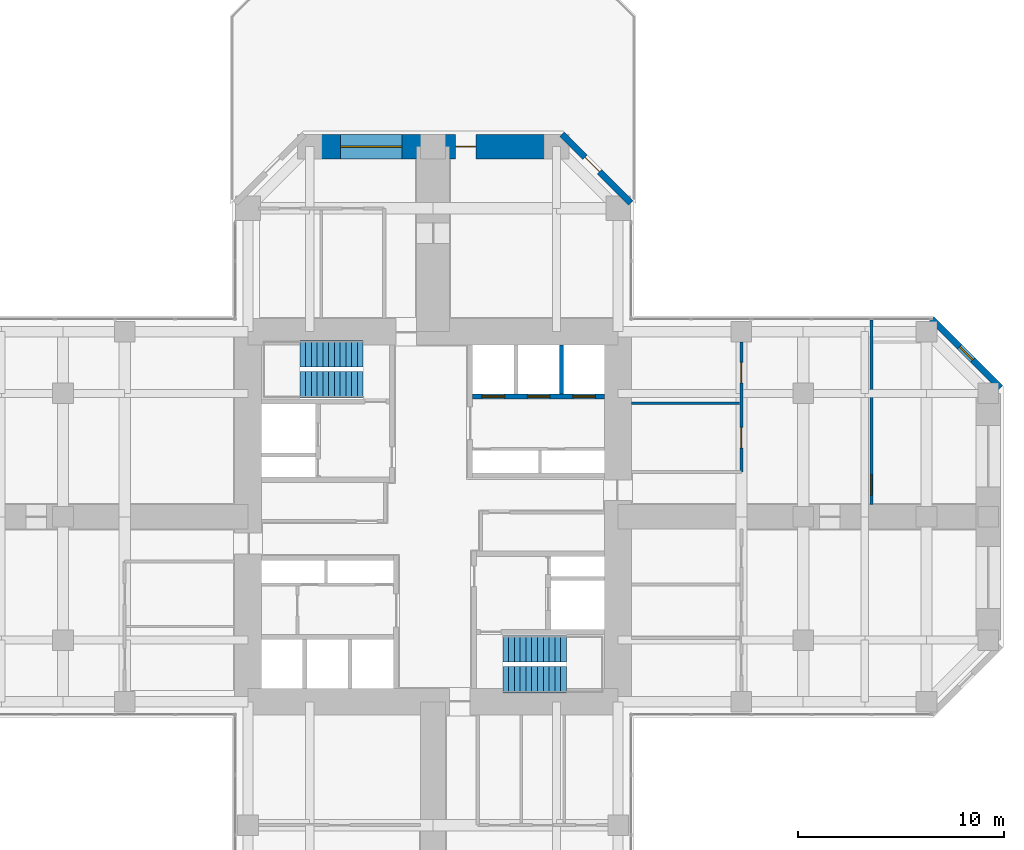
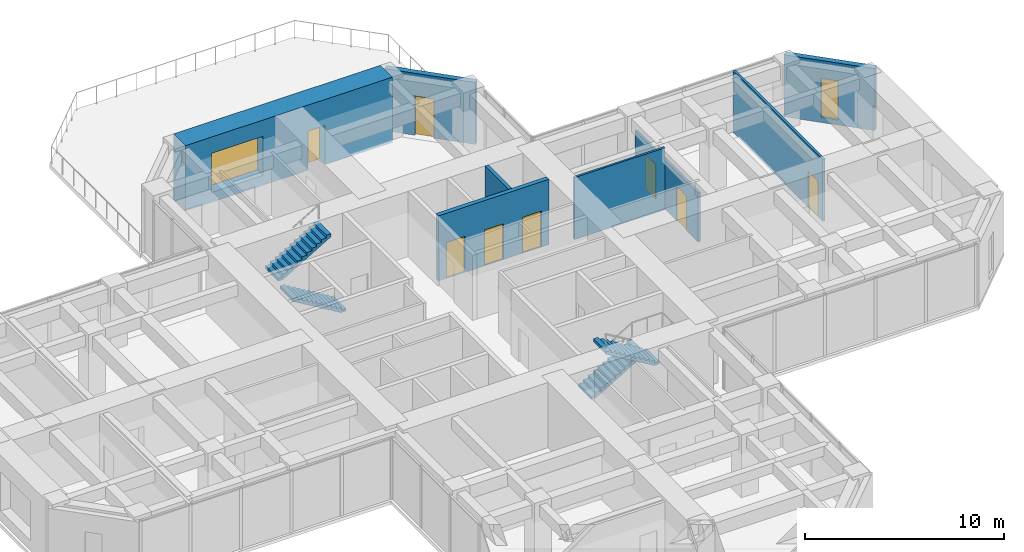
# One storey, part 11 of 12: 8 doors, 8 walls, 4 stair flights, 2 windows, 10 openings, 2 elements without a shape of their own.
"""IFC4 building model written with IfcOpenShell, lengths in metres."""

from ifc_helpers import new_model, si_unit, direction, frame, frame_2d, origin, place, context, subcontext, project, spatial, polyline, rectangle, hollow_rectangle, outline, extrude, material, layer, layer_set, constituent, constituent_set, type_object, element, fill, aggregate, save


model = new_model("IFC4")

# Units and contexts
model_context = context("Model", 3, precision=1e-05, world=origin(), true_north=direction((0.0, 1.0)))
body_context = subcontext(model_context, "Body", "Model", "MODEL_VIEW")
ifc_project = project(units=[si_unit("LENGTHUNIT", "METRE"), si_unit("AREAUNIT", "SQUARE_METRE"), si_unit("VOLUMEUNIT", "CUBIC_METRE"), si_unit("PLANEANGLEUNIT", "RADIAN"), si_unit("MASSUNIT", "GRAM", prefix="KILO")], contexts=[model_context])

# Site, building, storey
site_placement = place(None, origin())
site = spatial("IfcSite", under=ifc_project, at=site_placement, CompositionType="ELEMENT")
building_placement = place(site_placement, origin())
building = spatial("IfcBuilding", under=site, at=building_placement, Name="Torre Cruceta", CompositionType="ELEMENT")
storey_placement = place(building_placement, frame((0.0, 0.0, 100.5)))
storey = spatial("IfcBuildingStorey", under=building, at=storey_placement, Name="L24", CompositionType="ELEMENT", Elevation=100.5)

# Wall, openings, doors
ifc_material_1 = material(Name="Concrete G60 (fck 60 MPa)", Category="concrete")
ifc_layer_1 = layer(ifc_material_1, 0.25)
ifc_layer_set_1 = layer_set([ifc_layer_1], Name="Concrete G60 (fck 60 MPa)")
wall_type_1 = type_object("IfcWallType", Name="CORE INNER WALL 250 G60", PredefinedType="SHEAR", material=ifc_layer_set_1)
wall_1_placement = place(storey_placement, frame((1.925048828125, 5.85009765625, 0.0), z_axis=(0.0, 0.0, 1.0), x_axis=(1.0, 0.0, 0.0)))
wall_1 = element("IfcWall", 1, at=wall_1_placement, inside=storey, type_object=wall_type_1, Name="CW4 L24 NE-LV", PredefinedType="SHEAR", context=body_context, shape_type="SweptSolid", body=[
    extrude(rectangle(XDim=6.425048828125, YDim=0.25, at=frame_2d((3.21240234375, 0.0))), origin(), (0.0, 0.0, 1.0), 4.0),
])
opening_1_placement = place(wall_1_placement, frame((0.4541015625, 0.0, 0.0)))
opening_1 = element("IfcOpeningElement", 2, at=opening_1_placement, cuts=wall_1, Name="Opening LD1", PredefinedType="OPENING", context=body_context, shape_type="SweptSolid", body=[
    extrude(rectangle(XDim=1.10009765625, YDim=2.199951171875, at=frame_2d((0.550048828125, 1.10009765625))), frame((0.0, 0.135009765625, 0.0), z_axis=(0.0, -1.0, 0.0), x_axis=(1.0, 0.0, 0.0)), (0.0, 0.0, 1.0), 0.27001953125),
])
opening_2_placement = place(wall_1_placement, frame((2.66259765625, 0.0, 0.0)))
opening_2 = element("IfcOpeningElement", 3, at=opening_2_placement, cuts=wall_1, Name="Opening LD1", PredefinedType="OPENING", context=body_context, shape_type="SweptSolid", body=[
    extrude(rectangle(XDim=1.10009765625, YDim=2.199951171875, at=frame_2d((0.550048828125, 1.10009765625))), frame((0.0, 0.135009765625, 0.0), z_axis=(0.0, -1.0, 0.0), x_axis=(1.0, 0.0, 0.0)), (0.0, 0.0, 1.0), 0.27001953125),
])
opening_3_placement = place(wall_1_placement, frame((4.870849609375, 0.0, 0.0)))
opening_3 = element("IfcOpeningElement", 4, at=opening_3_placement, cuts=wall_1, Name="Opening LD1", PredefinedType="OPENING", context=body_context, shape_type="SweptSolid", body=[
    extrude(rectangle(XDim=1.10009765625, YDim=2.199951171875, at=frame_2d((0.550048828125, 1.10009765625))), frame((0.0, 0.135009765625, 0.0), z_axis=(0.0, -1.0, 0.0), x_axis=(1.0, 0.0, 0.0)), (0.0, 0.0, 1.0), 0.27001953125),
])
ifc_material_2 = material(Name="Stainless steel 1.4401", Category="steel")
door_type_1 = type_object("IfcDoorType", Name="LIFT LANDING DOOR 1100X2200", OperationType="DOUBLE_DOOR_SLIDING", PredefinedType="DOOR", material=ifc_material_2)
door_1_placement = place(opening_1_placement, origin())
door_1 = element("IfcDoor", 5, at=door_1_placement, inside=storey, type_object=door_type_1, Name="Lift landing door P1", OperationType="DOUBLE_DOOR_SLIDING", OverallHeight=2.199951171875, OverallWidth=1.10009765625, PredefinedType="DOOR", context=body_context, shape_type="SweptSolid", body=[
    extrude(rectangle(XDim=1.10009765625, YDim=2.199951171875, at=frame_2d((0.550048828125, 1.10009765625))), frame((0.0, 0.02490234375, 0.0), z_axis=(0.0, -1.0, 0.0), x_axis=(1.0, 0.0, 0.0)), (0.0, 0.0, 1.0), 0.050048828125),
])
fill(opening_1, door_1)
door_2_placement = place(opening_2_placement, origin())
door_2 = element("IfcDoor", 6, at=door_2_placement, inside=storey, type_object=door_type_1, Name="Lift landing door P2", OperationType="DOUBLE_DOOR_SLIDING", OverallHeight=2.199951171875, OverallWidth=1.10009765625, PredefinedType="DOOR", context=body_context, shape_type="SweptSolid", body=[
    extrude(rectangle(XDim=1.10009765625, YDim=2.199951171875, at=frame_2d((0.550048828125, 1.10009765625))), frame((0.0, 0.02490234375, 0.0), z_axis=(0.0, -1.0, 0.0), x_axis=(1.0, 0.0, 0.0)), (0.0, 0.0, 1.0), 0.050048828125),
])
fill(opening_2, door_2)
door_3_placement = place(opening_3_placement, origin())
door_3 = element("IfcDoor", 7, at=door_3_placement, inside=storey, type_object=door_type_1, Name="Lift landing door P3", OperationType="DOUBLE_DOOR_SLIDING", OverallHeight=2.199951171875, OverallWidth=1.10009765625, PredefinedType="DOOR", context=body_context, shape_type="SweptSolid", body=[
    extrude(rectangle(XDim=1.10009765625, YDim=2.199951171875, at=frame_2d((0.550048828125, 1.10009765625))), frame((0.0, 0.02490234375, 0.0), z_axis=(0.0, -1.0, 0.0), x_axis=(1.0, 0.0, 0.0)), (0.0, 0.0, 1.0), 0.050048828125),
])
fill(opening_3, door_3)

# Wall, opening, window
ifc_material_3 = material(Name="Concrete G30 (fck 30 MPa)", Category="concrete")
ifc_layer_2 = layer(ifc_material_3, 0.300048828125)
ifc_layer_set_2 = layer_set([ifc_layer_2], Name="Concrete G30 (fck 30 MPa)")
wall_type_2 = type_object("IfcWallType", Name="EXPOSED CONCRETE FACADE WALL 300", PredefinedType="SOLIDWALL", material=ifc_layer_set_2)
wall_2_placement = place(storey_placement, frame((27.60009765625, 6.27685546875, 0.0), z_axis=(0.0, 0.0, 1.0), x_axis=(-0.707106781187, 0.707106781187, 0.0)))
wall_2 = element("IfcWall", 8, at=wall_2_placement, inside=storey, type_object=wall_type_2, Name="EW1 facade wall L24 E chamfer 03", PredefinedType="SOLIDWALL", context=body_context, shape_type="SweptSolid", body=[
    extrude(rectangle(XDim=4.72802734375, YDim=0.300048828125, at=frame_2d((2.364013671875, 0.0))), origin(), (0.0, 0.0, 1.0), 3.800048828125),
])
opening_4_placement = place(wall_2_placement, frame((1.9140625, 0.0, 0.300048828125)))
opening_4 = element("IfcOpeningElement", 9, at=opening_4_placement, cuts=wall_2, Name="Opening WN5", PredefinedType="OPENING", context=body_context, shape_type="SweptSolid", body=[
    extrude(rectangle(XDim=0.89990234375, YDim=2.39990234375, at=frame_2d((0.449951171875, 1.199951171875))), frame((0.0, 0.159912109375, 0.0), z_axis=(0.0, -1.0, 0.0), x_axis=(1.0, 0.0, 0.0)), (0.0, 0.0, 1.0), 0.320068359375),
])
ifc_material_4 = material(Name="Aluminium window frame", Category="aluminium")
ifc_constituent_1 = constituent(ifc_material_4, Name="Frame")
ifc_material_5 = material(Name="Laminated insulating glass unit, low-iron clear", Category="glass")
ifc_constituent_2 = constituent(ifc_material_5, Name="Glazing")
ifc_constituent_set_1 = constituent_set(constituents=[ifc_constituent_1, ifc_constituent_2], Name="Aluminium window")
window_type_1 = type_object("IfcWindowType", Name="CHAMFER SLOT WINDOW 900X2400", PartitioningType="SINGLE_PANEL", PredefinedType="WINDOW", material=ifc_constituent_set_1)
window_1_placement = place(opening_4_placement, origin())
window_1 = element("IfcWindow", 10, at=window_1_placement, inside=storey, type_object=window_type_1, Name="WN5 L24 E 1", OverallHeight=2.39990234375, OverallWidth=0.89990234375, PartitioningType="SINGLE_PANEL", PredefinedType="WINDOW", context=body_context, shape_type="SweptSolid", body=[
    extrude(hollow_rectangle(XDim=0.89990234375, YDim=2.39990234375, WallThickness=0.06005859375, at=frame_2d((0.449951171875, 1.199951171875))), frame((0.0, 0.030029296875, 0.0), z_axis=(0.0, -1.0, 0.0), x_axis=(1.0, 0.0, 0.0)), (0.0, 0.0, 1.0), 0.06005859375),
    extrude(rectangle(XDim=0.77880859375, YDim=2.27880859375, at=frame_2d((0.449951171875, 1.199951171875))), frame((0.0, 0.030029296875, 0.0), z_axis=(0.0, -1.0, 0.0), x_axis=(1.0, 0.0, 0.0)), (0.0, 0.0, 1.0), 0.06005859375),
])
fill(opening_4, window_1)

# Wall, opening, door
wall_3_placement = place(storey_placement, frame((9.6201171875, 15.2568359375, 0.0), z_axis=(0.0, 0.0, 1.0), x_axis=(-0.707106781187, 0.707106781187, 0.0)))
wall_3 = element("IfcWall", 11, at=wall_3_placement, inside=storey, type_object=wall_type_2, Name="EW1 facade wall L24 N chamfer 06", PredefinedType="SOLIDWALL", context=body_context, shape_type="SweptSolid", body=[
    extrude(rectangle(XDim=4.72802734375, YDim=0.300048828125, at=frame_2d((2.364013671875, 0.0))), origin(), (0.0, 0.0, 1.0), 3.800048828125),
])
opening_5_placement = place(wall_3_placement, frame((2.14990234375, 0.0, 0.0)))
opening_5 = element("IfcOpeningElement", 12, at=opening_5_placement, cuts=wall_3, Name="Opening D11", PredefinedType="OPENING", context=body_context, shape_type="SweptSolid", body=[
    extrude(rectangle(XDim=1.0, YDim=2.39990234375, at=frame_2d((0.5, 1.199951171875))), frame((0.0, 0.159912109375, 0.0), z_axis=(0.0, -1.0, 0.0), x_axis=(1.0, 0.0, 0.0)), (0.0, 0.0, 1.0), 0.320068359375),
])
ifc_material_6 = material(Name="Aluminium door frame", Category="aluminium")
ifc_constituent_3 = constituent(ifc_material_6, Name="Frame")
ifc_material_7 = material(Name="Laminated safety glass", Category="glass")
ifc_constituent_4 = constituent(ifc_material_7, Name="Glazing")
ifc_constituent_set_2 = constituent_set(constituents=[ifc_constituent_3, ifc_constituent_4], Name="Aluminium glazed door")
door_type_2 = type_object("IfcDoorType", Name="TERRACE DOOR 1000X2400", OperationType="SINGLE_SWING_LEFT", PredefinedType="DOOR", material=ifc_constituent_set_2)
door_4_placement = place(opening_5_placement, origin())
door_4 = element("IfcDoor", 13, at=door_4_placement, inside=storey, type_object=door_type_2, Name="D11 terrace door L24 N", OperationType="SINGLE_SWING_RIGHT", OverallHeight=2.39990234375, OverallWidth=1.0, PredefinedType="DOOR", context=body_context, shape_type="SweptSolid", body=[
    extrude(hollow_rectangle(XDim=1.0, YDim=2.39990234375, WallThickness=0.06005859375, at=frame_2d((0.5, 1.199951171875))), frame((0.0, 0.02490234375, 0.0), z_axis=(0.0, -1.0, 0.0), x_axis=(1.0, 0.0, 0.0)), (0.0, 0.0, 1.0), 0.050048828125),
    extrude(rectangle(XDim=0.87890625, YDim=2.27880859375, at=frame_2d((0.5, 1.199951171875))), frame((0.0, 0.02490234375, 0.0), z_axis=(0.0, -1.0, 0.0), x_axis=(1.0, 0.0, 0.0)), (0.0, 0.0, 1.0), 0.050048828125),
])
fill(opening_5, door_4)

# Wall
ifc_material_8 = material(Name="Concrete G35 (fck 35 MPa)", Category="concrete")
ifc_layer_3 = layer(ifc_material_8, 0.199951171875)
ifc_layer_set_3 = layer_set([ifc_layer_3], Name="Concrete G35 (fck 35 MPa)")
wall_type_3 = type_object("IfcWallType", Name="LIFT SHAFT WALL 200", PredefinedType="PARTITIONING", material=ifc_layer_set_3)
wall_4_placement = place(storey_placement, frame((6.24169921875, 5.97509765625, 0.0), z_axis=(0.0, 0.0, 1.0), x_axis=(0.0, 1.0, 0.0)))
element("IfcWall", 14, at=wall_4_placement, inside=storey, type_object=wall_type_3, Name="SW1 L24 NE-LS2", PredefinedType="PARTITIONING", context=body_context, shape_type="SweptSolid", body=[
    extrude(rectangle(XDim=2.375, YDim=0.199951171875, at=frame_2d((1.1875, 0.0))), origin(), (0.0, 0.0, 1.0), 4.0),
])

# Wall, openings, window, door
ifc_material_9 = material(Name="Concrete G60 (fck 60 MPa)", Category="concrete")
ifc_layer_4 = layer(ifc_material_9, 1.199951171875)
ifc_layer_set_4 = layer_set([ifc_layer_4], Name="Concrete G60 (fck 60 MPa)")
wall_type_4 = type_object("IfcWallType", Name="NOSE WALL 1200 G60", PredefinedType="SHEAR", material=ifc_layer_set_4)
wall_5_placement = place(storey_placement, frame((6.0, 18.0, 0.0), z_axis=(0.0, 0.0, 1.0), x_axis=(-1.0, 0.0, 0.0)))
wall_5 = element("IfcWall", 15, at=wall_5_placement, inside=storey, type_object=wall_type_4, Name="NW1 nose wall L24 N", PredefinedType="SHEAR", context=body_context, shape_type="SweptSolid", body=[
    extrude(rectangle(XDim=12.0, YDim=1.199951171875, at=frame_2d((6.0, 0.0))), origin(), (0.0, 0.0, 1.0), 4.0),
])
opening_6_placement = place(wall_5_placement, frame((3.89990234375, 0.0, 0.0)))
opening_6 = element("IfcOpeningElement", 16, at=opening_6_placement, cuts=wall_5, Name="Opening D11", PredefinedType="OPENING", context=body_context, shape_type="SweptSolid", body=[
    extrude(rectangle(XDim=1.0, YDim=2.39990234375, at=frame_2d((0.5, 1.199951171875))), frame((0.0, 0.60986328125, 0.0), z_axis=(0.0, -1.0, 0.0), x_axis=(1.0, 0.0, 0.0)), (0.0, 0.0, 1.0), 1.219970703125),
])
opening_7_placement = place(wall_5_placement, frame((7.5, 0.0, 0.60009765625)))
opening_7 = element("IfcOpeningElement", 17, at=opening_7_placement, cuts=wall_5, Name="Opening WN6", PredefinedType="OPENING", context=body_context, shape_type="SweptSolid", body=[
    extrude(rectangle(XDim=3.0, YDim=2.39990234375, at=frame_2d((1.5, 1.199951171875))), frame((0.0, 0.60986328125, 0.0), z_axis=(0.0, -1.0, 0.0), x_axis=(1.0, 0.0, 0.0)), (0.0, 0.0, 1.0), 1.219970703125),
])
ifc_material_10 = material(Name="Aluminium window frame", Category="aluminium")
ifc_constituent_5 = constituent(ifc_material_10, Name="Frame")
ifc_material_11 = material(Name="Laminated insulating glass unit, low-iron clear", Category="glass")
ifc_constituent_6 = constituent(ifc_material_11, Name="Glazing")
ifc_constituent_set_3 = constituent_set(constituents=[ifc_constituent_5, ifc_constituent_6], Name="Aluminium window")
window_type_2 = type_object("IfcWindowType", Name="NOSE WALL WINDOW 3000X2400", PartitioningType="SINGLE_PANEL", PredefinedType="WINDOW", material=ifc_constituent_set_3)
window_2_placement = place(opening_7_placement, origin())
window_2 = element("IfcWindow", 18, at=window_2_placement, inside=storey, type_object=window_type_2, Name="WN6 L24 N 2", OverallHeight=2.39990234375, OverallWidth=3.0, PartitioningType="SINGLE_PANEL", PredefinedType="WINDOW", context=body_context, shape_type="SweptSolid", body=[
    extrude(hollow_rectangle(XDim=3.0, YDim=2.39990234375, WallThickness=0.06005859375, at=frame_2d((1.5, 1.199951171875))), frame((0.0, 0.030029296875, 0.0), z_axis=(0.0, -1.0, 0.0), x_axis=(1.0, 0.0, 0.0)), (0.0, 0.0, 1.0), 0.06005859375),
    extrude(rectangle(XDim=2.87890625, YDim=2.27880859375, at=frame_2d((1.5, 1.199951171875))), frame((0.0, 0.030029296875, 0.0), z_axis=(0.0, -1.0, 0.0), x_axis=(1.0, 0.0, 0.0)), (0.0, 0.0, 1.0), 0.06005859375),
])
fill(opening_7, window_2)
door_5_placement = place(opening_6_placement, origin())
door_5 = element("IfcDoor", 19, at=door_5_placement, inside=storey, type_object=door_type_2, Name="D11 terrace door L24 N", OperationType="SINGLE_SWING_RIGHT", OverallHeight=2.39990234375, OverallWidth=1.0, PredefinedType="DOOR", context=body_context, shape_type="SweptSolid", body=[
    extrude(hollow_rectangle(XDim=1.0, YDim=2.39990234375, WallThickness=0.06005859375, at=frame_2d((0.5, 1.199951171875))), frame((0.0, 0.02490234375, 0.0), z_axis=(0.0, -1.0, 0.0), x_axis=(1.0, 0.0, 0.0)), (0.0, 0.0, 1.0), 0.050048828125),
    extrude(rectangle(XDim=0.87890625, YDim=2.27880859375, at=frame_2d((0.5, 1.199951171875))), frame((0.0, 0.02490234375, 0.0), z_axis=(0.0, -1.0, 0.0), x_axis=(1.0, 0.0, 0.0)), (0.0, 0.0, 1.0), 0.050048828125),
])
fill(opening_6, door_5)

# Wall, openings, doors
ifc_material_12 = material(Name="Plasterboard on steel studs", Category="steel")
ifc_layer_5 = layer(ifc_material_12, 0.14990234375)
ifc_layer_set_5 = layer_set([ifc_layer_5], Name="Plasterboard on steel studs")
wall_type_5 = type_object("IfcWallType", Name="PARTITION 150", PredefinedType="PARTITIONING", material=ifc_layer_set_5)
wall_6_placement = place(storey_placement, frame((15.0, 2.175048828125, 0.0), z_axis=(0.0, 0.0, 1.0), x_axis=(0.0, 1.0, 0.0)))
wall_6 = element("IfcWall", 20, at=wall_6_placement, inside=storey, type_object=wall_type_5, Name="PT1 L24-E-BFL", PredefinedType="PARTITIONING", context=body_context, shape_type="SweptSolid", body=[
    extrude(rectangle(XDim=6.324951171875, YDim=0.14990234375, at=frame_2d((3.16259765625, 0.0))), origin(), (0.0, 0.0, 1.0), 3.0),
])
opening_8_placement = place(wall_6_placement, frame((1.169189453125, 0.0, 0.0)))
opening_8 = element("IfcOpeningElement", 21, at=opening_8_placement, cuts=wall_6, Name="Opening D3", PredefinedType="OPENING", context=body_context, shape_type="SweptSolid", body=[
    extrude(rectangle(XDim=1.0, YDim=2.10009765625, at=frame_2d((0.5, 1.050048828125))), frame((0.0, 0.0849609375, 0.0), z_axis=(0.0, -1.0, 0.0), x_axis=(1.0, 0.0, 0.0)), (0.0, 0.0, 1.0), 0.169921875),
])
opening_9_placement = place(wall_6_placement, frame((4.33154296875, 0.0, 0.0)))
opening_9 = element("IfcOpeningElement", 22, at=opening_9_placement, cuts=wall_6, Name="Opening D3", PredefinedType="OPENING", context=body_context, shape_type="SweptSolid", body=[
    extrude(rectangle(XDim=1.0, YDim=2.10009765625, at=frame_2d((0.5, 1.050048828125))), frame((0.0, 0.0849609375, 0.0), z_axis=(0.0, -1.0, 0.0), x_axis=(1.0, 0.0, 0.0)), (0.0, 0.0, 1.0), 0.169921875),
])
ifc_material_13 = material(Name="Steel DX51D", Category="steel")
ifc_constituent_7 = constituent(ifc_material_13, Name="Leaf and frame")
ifc_material_14 = material(Name="Polyester powder coating", Category="paint")
ifc_constituent_8 = constituent(ifc_material_14, Name="Finish")
ifc_constituent_set_4 = constituent_set(constituents=[ifc_constituent_7, ifc_constituent_8], Name="Steel fire door")
door_type_3 = type_object("IfcDoorType", Name="FIRE DOOR 1000X2100", OperationType="SINGLE_SWING_LEFT", PredefinedType="DOOR", material=ifc_constituent_set_4)
door_6_placement = place(opening_8_placement, origin())
door_6 = element("IfcDoor", 23, at=door_6_placement, inside=storey, type_object=door_type_3, Name="D3 L24-E-BFL-D1", OperationType="SINGLE_SWING_LEFT", OverallHeight=2.10009765625, OverallWidth=1.0, PredefinedType="DOOR", context=body_context, shape_type="SweptSolid", body=[
    extrude(rectangle(XDim=1.0, YDim=2.10009765625, at=frame_2d((0.5, 1.050048828125))), frame((0.0, 0.02490234375, 0.0), z_axis=(0.0, -1.0, 0.0), x_axis=(1.0, 0.0, 0.0)), (0.0, 0.0, 1.0), 0.050048828125),
])
fill(opening_8, door_6)
door_7_placement = place(opening_9_placement, origin())
door_7 = element("IfcDoor", 24, at=door_7_placement, inside=storey, type_object=door_type_3, Name="D3 L24-E-BFL-D2", OperationType="SINGLE_SWING_LEFT", OverallHeight=2.10009765625, OverallWidth=1.0, PredefinedType="DOOR", context=body_context, shape_type="SweptSolid", body=[
    extrude(rectangle(XDim=1.0, YDim=2.10009765625, at=frame_2d((0.5, 1.050048828125))), frame((0.0, 0.02490234375, 0.0), z_axis=(0.0, -1.0, 0.0), x_axis=(1.0, 0.0, 0.0)), (0.0, 0.0, 1.0), 0.050048828125),
])
fill(opening_9, door_7)

# Wall, opening, door
wall_7_placement = place(storey_placement, frame((21.320068359375, 0.60009765625, 0.0), z_axis=(0.0, 0.0, 1.0), x_axis=(0.0, 1.0, 0.0)))
wall_7 = element("IfcWall", 25, at=wall_7_placement, inside=storey, type_object=wall_type_5, Name="PT1 L24-E-TWL", PredefinedType="PARTITIONING", context=body_context, shape_type="SweptSolid", body=[
    extrude(rectangle(XDim=8.97998046875, YDim=0.14990234375, at=frame_2d((4.489990234375, 0.0))), origin(), (0.0, 0.0, 1.0), 3.800048828125),
])
opening_10_placement = place(wall_7_placement, frame((0.449951171875, 0.0, 0.0)))
opening_10 = element("IfcOpeningElement", 26, at=opening_10_placement, cuts=wall_7, Name="Opening D14", PredefinedType="OPENING", context=body_context, shape_type="SweptSolid", body=[
    extrude(rectangle(XDim=1.0, YDim=2.199951171875, at=frame_2d((0.5, 1.10009765625))), frame((0.0, 0.0849609375, 0.0), z_axis=(0.0, -1.0, 0.0), x_axis=(1.0, 0.0, 0.0)), (0.0, 0.0, 1.0), 0.169921875),
])
ifc_material_15 = material(Name="Steel DX51D", Category="steel")
ifc_constituent_9 = constituent(ifc_material_15, Name="Leaf and frame")
ifc_material_16 = material(Name="Polyester powder coating", Category="paint")
ifc_constituent_10 = constituent(ifc_material_16, Name="Finish")
ifc_material_17 = material(Name="Fire-resisting glass", Category="glass")
ifc_constituent_11 = constituent(ifc_material_17, Name="Vision panel")
ifc_constituent_set_5 = constituent_set(constituents=[ifc_constituent_9, ifc_constituent_10, ifc_constituent_11], Name="Steel fire door with vision panel")
door_type_4 = type_object("IfcDoorType", Name="FIRE DOOR VISION PANEL 1000X2200", OperationType="SINGLE_SWING_RIGHT", PredefinedType="DOOR", material=ifc_constituent_set_5)
door_8_placement = place(opening_10_placement, frame((1.0, 0.0, 0.0), z_axis=(0.0, 0.0, 1.0), x_axis=(-1.0, 0.0, 0.0)))
door_8 = element("IfcDoor", 27, at=door_8_placement, inside=storey, type_object=door_type_4, Name="D14 L24-E-TWL-D1", OperationType="SINGLE_SWING_RIGHT", OverallHeight=2.199951171875, OverallWidth=1.0, PredefinedType="DOOR", context=body_context, shape_type="SweptSolid", body=[
    extrude(rectangle(XDim=1.0, YDim=2.199951171875, at=frame_2d((0.5, 1.10009765625))), frame((0.0, 0.025146484375, 0.0), z_axis=(0.0, -1.0, 0.0), x_axis=(1.0, 0.0, 0.0)), (0.0, 0.0, 1.0), 0.050048828125),
])
fill(opening_10, door_8)

# Wall
ifc_material_18 = material(Name="Plasterboard on steel studs", Category="steel")
ifc_layer_6 = layer(ifc_material_18, 0.1201171875)
ifc_layer_set_6 = layer_set([ifc_layer_6], Name="Plasterboard on steel studs")
wall_type_6 = type_object("IfcWallType", Name="WC PARTITION 120", PredefinedType="PLUMBINGWALL", material=ifc_layer_set_6)
wall_8_placement = place(storey_placement, frame((9.64990234375, 5.51318359375, 0.0), z_axis=(0.0, 0.0, 1.0), x_axis=(1.0, 0.0, 0.0)))
element("IfcWall", 28, at=wall_8_placement, inside=storey, type_object=wall_type_6, Name="PT5 L24-E-BDL1", PredefinedType="PLUMBINGWALL", context=body_context, shape_type="SweptSolid", body=[
    extrude(rectangle(XDim=5.25, YDim=0.1201171875, at=frame_2d((2.625, 0.0))), origin(), (0.0, 0.0, 1.0), 3.800048828125),
])

# Stair, stair flights
ifc_material_19 = material(Name="Concrete G30 (fck 30 MPa)", Category="concrete")
stair_type = type_object("IfcStairType", Name="STAIR HALF-TURN 1300", PredefinedType="HALF_TURN_STAIR", material=ifc_material_19)
stair_1_placement = place(storey_placement, origin())
stair_1 = element("IfcStair", 29, at=stair_1_placement, inside=storey, type_object=stair_type, Name="Stair ST1 L24", PredefinedType="HALF_TURN_STAIR")
ifc_material_20 = material(Name="Concrete G30 (fck 30 MPa)", Category="concrete")
stair_flight_type = type_object("IfcStairFlightType", Name="STAIR FLIGHT 1300", PredefinedType="STRAIGHT", material=ifc_material_20)
stair_flight_1_placement = place(storey_placement, frame((-3.39990234375, 6.425048828125, 0.0), z_axis=(0.0, 0.0, 1.0), x_axis=(-1.0, 0.0, 0.0)))
stair_flight_1 = element("IfcStairFlight", 30, at=stair_flight_1_placement, type_object=stair_flight_type, Name="ST1 flight 1", NumberOfRisers=12, NumberOfTreads=11, PredefinedType="STRAIGHT", RiserHeight=0.166666667, TreadLength=0.28, context=body_context, shape_type="SweptSolid", body=[
    extrude(outline(polyline([(0.0, 0.0), (0.0, 0.166748046875), (0.280029296875, 0.166748046875), (0.280029296875, 0.333251953125), (0.56005859375, 0.333251953125), (0.56005859375, 0.5), (0.840087890625, 0.5), (0.840087890625, 0.666748046875), (1.1201171875, 0.666748046875), (1.1201171875, 0.833251953125), (1.39990234375, 0.833251953125), (1.39990234375, 1.0), (1.679931640625, 1.0), (1.679931640625, 1.166748046875), (1.9599609375, 1.166748046875), (1.9599609375, 1.333251953125), (2.239990234375, 1.333251953125), (2.239990234375, 1.5), (2.52001953125, 1.5), (2.52001953125, 1.666748046875), (2.800048828125, 1.666748046875), (2.800048828125, 1.833251953125), (3.080078125, 1.833251953125), (3.080078125, 2.0), (3.080078125, 1.658935546875), (0.29296875, 0.0), (0.0, 0.0)])), frame((0.0, 0.64990234375, 0.0), z_axis=(0.0, -1.0, 0.0), x_axis=(1.0, 0.0, 0.0)), (0.0, 0.0, 1.0), 1.300048828125),
])
stair_flight_2_placement = place(storey_placement, frame((-6.47998046875, 7.925048828125, 2.0), z_axis=(0.0, 0.0, 1.0), x_axis=(1.0, 0.0, 0.0)))
stair_flight_2 = element("IfcStairFlight", 31, at=stair_flight_2_placement, type_object=stair_flight_type, Name="ST1 flight 2", NumberOfRisers=12, NumberOfTreads=11, PredefinedType="STRAIGHT", RiserHeight=0.166666667, TreadLength=0.28, context=body_context, shape_type="SweptSolid", body=[
    extrude(outline(polyline([(0.0, 0.0), (0.0, 0.166748046875), (0.280029296875, 0.166748046875), (0.280029296875, 0.333251953125), (0.56005859375, 0.333251953125), (0.56005859375, 0.5), (0.840087890625, 0.5), (0.840087890625, 0.666748046875), (1.1201171875, 0.666748046875), (1.1201171875, 0.833251953125), (1.39990234375, 0.833251953125), (1.39990234375, 1.0), (1.679931640625, 1.0), (1.679931640625, 1.166748046875), (1.9599609375, 1.166748046875), (1.9599609375, 1.333251953125), (2.239990234375, 1.333251953125), (2.239990234375, 1.5), (2.52001953125, 1.5), (2.52001953125, 1.666748046875), (2.800048828125, 1.666748046875), (2.800048828125, 1.833251953125), (3.080078125, 1.833251953125), (3.080078125, 2.0), (3.080078125, 1.658935546875), (0.29296875, 0.0), (0.0, 0.0)])), frame((0.0, 0.64990234375, 0.0), z_axis=(0.0, -1.0, 0.0), x_axis=(1.0, 0.0, 0.0)), (0.0, 0.0, 1.0), 1.300048828125),
])
aggregate(stair_1, [stair_flight_1, stair_flight_2])

stair_2_placement = place(storey_placement, origin())
stair_2 = element("IfcStair", 32, at=stair_2_placement, inside=storey, type_object=stair_type, Name="Stair ST2 L24", PredefinedType="HALF_TURN_STAIR")
stair_flight_3_placement = place(storey_placement, frame((3.39990234375, -6.425048828125, 0.0), z_axis=(0.0, 0.0, 1.0), x_axis=(1.0, 0.0, 0.0)))
stair_flight_3 = element("IfcStairFlight", 33, at=stair_flight_3_placement, type_object=stair_flight_type, Name="ST2 flight 1", NumberOfRisers=12, NumberOfTreads=11, PredefinedType="STRAIGHT", RiserHeight=0.166666667, TreadLength=0.28, context=body_context, shape_type="SweptSolid", body=[
    extrude(outline(polyline([(0.0, 0.0), (0.0, 0.166748046875), (0.280029296875, 0.166748046875), (0.280029296875, 0.333251953125), (0.56005859375, 0.333251953125), (0.56005859375, 0.5), (0.840087890625, 0.5), (0.840087890625, 0.666748046875), (1.1201171875, 0.666748046875), (1.1201171875, 0.833251953125), (1.39990234375, 0.833251953125), (1.39990234375, 1.0), (1.679931640625, 1.0), (1.679931640625, 1.166748046875), (1.9599609375, 1.166748046875), (1.9599609375, 1.333251953125), (2.239990234375, 1.333251953125), (2.239990234375, 1.5), (2.52001953125, 1.5), (2.52001953125, 1.666748046875), (2.800048828125, 1.666748046875), (2.800048828125, 1.833251953125), (3.080078125, 1.833251953125), (3.080078125, 2.0), (3.080078125, 1.658935546875), (0.29296875, 0.0), (0.0, 0.0)])), frame((0.0, 0.64990234375, 0.0), z_axis=(0.0, -1.0, 0.0), x_axis=(1.0, 0.0, 0.0)), (0.0, 0.0, 1.0), 1.300048828125),
])
stair_flight_4_placement = place(storey_placement, frame((6.47998046875, -7.925048828125, 2.0), z_axis=(0.0, 0.0, 1.0), x_axis=(-1.0, 0.0, 0.0)))
stair_flight_4 = element("IfcStairFlight", 34, at=stair_flight_4_placement, type_object=stair_flight_type, Name="ST2 flight 2", NumberOfRisers=12, NumberOfTreads=11, PredefinedType="STRAIGHT", RiserHeight=0.166666667, TreadLength=0.28, context=body_context, shape_type="SweptSolid", body=[
    extrude(outline(polyline([(0.0, 0.0), (0.0, 0.166748046875), (0.280029296875, 0.166748046875), (0.280029296875, 0.333251953125), (0.56005859375, 0.333251953125), (0.56005859375, 0.5), (0.840087890625, 0.5), (0.840087890625, 0.666748046875), (1.1201171875, 0.666748046875), (1.1201171875, 0.833251953125), (1.39990234375, 0.833251953125), (1.39990234375, 1.0), (1.679931640625, 1.0), (1.679931640625, 1.166748046875), (1.9599609375, 1.166748046875), (1.9599609375, 1.333251953125), (2.239990234375, 1.333251953125), (2.239990234375, 1.5), (2.52001953125, 1.5), (2.52001953125, 1.666748046875), (2.800048828125, 1.666748046875), (2.800048828125, 1.833251953125), (3.080078125, 1.833251953125), (3.080078125, 2.0), (3.080078125, 1.658935546875), (0.29296875, 0.0), (0.0, 0.0)])), frame((0.0, 0.64990234375, 0.0), z_axis=(0.0, -1.0, 0.0), x_axis=(1.0, 0.0, 0.0)), (0.0, 0.0, 1.0), 1.300048828125),
])
aggregate(stair_2, [stair_flight_3, stair_flight_4])

save(model, "model.ifc")
